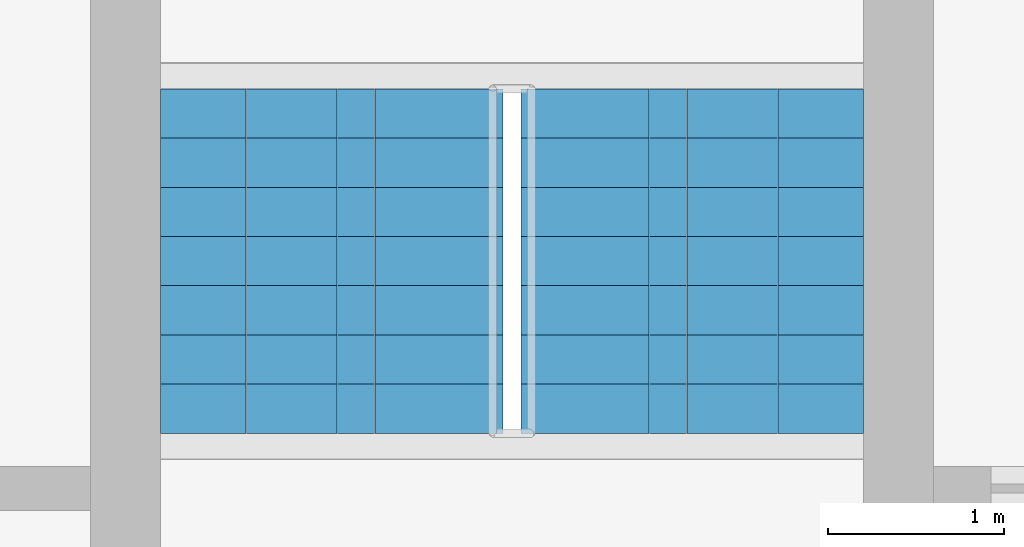
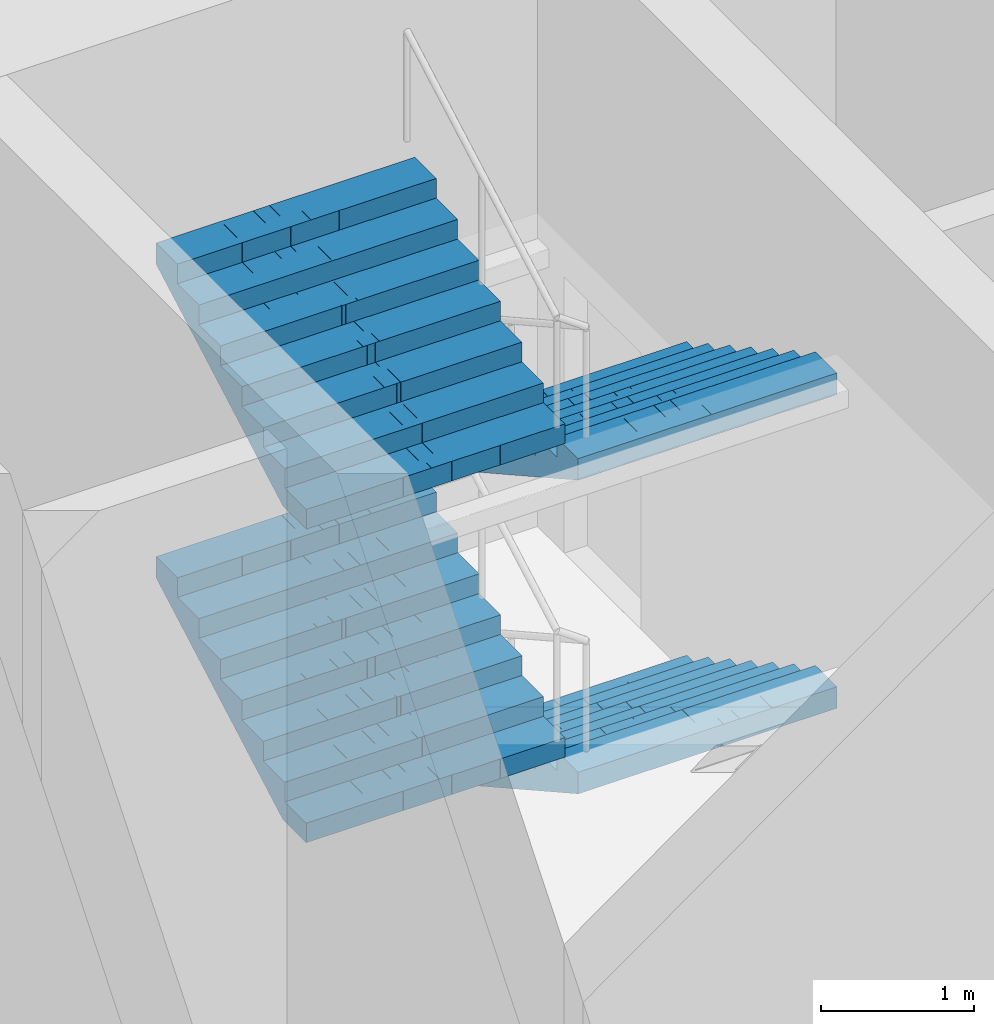
# One storey, part 12 of 20: 4 stair flights, 1 element without a shape of its own.
"""IFC4 building model written with IfcOpenShell, lengths in metres."""

from ifc_helpers import new_model, si_unit, direction, frame, origin, place, context, subcontext, project, spatial, polyline, outline, extrude, material, type_object, element, aggregate, save


model = new_model("IFC4")

# Units and contexts
model_context = context("Model", 3, precision=1e-05, world=origin(), true_north=direction((0.0, 1.0)))
body_context = subcontext(model_context, "Body", "Model", "MODEL_VIEW")
ifc_project = project(units=[si_unit("LENGTHUNIT", "METRE"), si_unit("AREAUNIT", "SQUARE_METRE"), si_unit("VOLUMEUNIT", "CUBIC_METRE"), si_unit("PLANEANGLEUNIT", "RADIAN"), si_unit("MASSUNIT", "GRAM", prefix="KILO")], contexts=[model_context])

# Site, building, storey
site_placement = place(None, origin())
site = spatial("IfcSite", under=ifc_project, at=site_placement, CompositionType="ELEMENT")
building_placement = place(site_placement, origin())
building = spatial("IfcBuilding", under=site, at=building_placement, Name="Mizan Broadcast Tower", CompositionType="ELEMENT")
storey_placement = place(building_placement, frame((0.0, 0.0, -5.0)))
storey = spatial("IfcBuildingStorey", under=building, at=storey_placement, Name="B1", CompositionType="ELEMENT", Elevation=-5.0)

# Stair, stair flights
ifc_material_1 = material(Name="Concrete C40/50", Category="concrete")
stair_type = type_object("IfcStairType", Name="EXIT STAIR", PredefinedType="HALF_TURN_STAIR", material=ifc_material_1)
stair_placement = place(storey_placement, origin())
stair = element("IfcStair", 1, at=stair_placement, inside=storey, type_object=stair_type, Name="Stair B B1", PredefinedType="HALF_TURN_STAIR")
ifc_material_2 = material(Name="Concrete C40/50", Category="concrete")
stair_flight_type = type_object("IfcStairFlightType", Name="EXIT STAIR FLIGHT", PredefinedType="STRAIGHT", material=ifc_material_2)
stair_flight_1_placement = place(storey_placement, frame((1.02490234375, 7.89990234375, 0.0), z_axis=(0.0, 0.0, 1.0), x_axis=(0.0, -1.0, 0.0)))
stair_flight_1 = element("IfcStairFlight", 2, at=stair_flight_1_placement, type_object=stair_flight_type, Name="B flight 1", NumberOfRisers=8, NumberOfTreads=7, PredefinedType="STRAIGHT", RiserHeight=0.15625, TreadLength=0.28, context=body_context, shape_type="SweptSolid", body=[
    extrude(outline(polyline([(0.0, 0.0), (0.0, 0.15625), (0.280029296875, 0.15625), (0.280029296875, 0.3125), (0.56005859375, 0.3125), (0.56005859375, 0.46875), (0.840087890625, 0.46875), (0.840087890625, 0.625), (1.1201171875, 0.625), (1.1201171875, 0.78125), (1.39990234375, 0.78125), (1.39990234375, 0.9375), (1.679931640625, 0.9375), (1.679931640625, 1.09375), (1.9599609375, 1.09375), (1.9599609375, 1.25), (1.9599609375, 0.922119140625), (0.3076171875, 0.0), (0.0, 0.0)])), frame((0.0, 0.97509765625, 0.0), z_axis=(0.0, -1.0, 0.0), x_axis=(1.0, 0.0, 0.0)), (0.0, 0.0, 1.0), 0.4873046875),
    extrude(outline(polyline([(0.0, 0.0), (0.0, 0.15625), (0.280029296875, 0.15625), (0.280029296875, 0.3125), (0.56005859375, 0.3125), (0.56005859375, 0.46875), (0.840087890625, 0.46875), (0.840087890625, 0.625), (1.1201171875, 0.625), (1.1201171875, 0.78125), (1.39990234375, 0.78125), (1.39990234375, 0.9375), (1.679931640625, 0.9375), (1.679931640625, 1.09375), (1.9599609375, 1.09375), (1.9599609375, 1.25), (1.9599609375, 0.922119140625), (0.3076171875, 0.0), (0.0, 0.0)])), frame((0.0, 0.4873046875, 0.0), z_axis=(0.0, -1.0, 0.0), x_axis=(1.0, 0.0, 0.0)), (0.0, 0.0, 1.0), 0.2431640625),
    extrude(outline(polyline([(0.0, 0.0), (0.0, 0.15625), (0.280029296875, 0.15625), (0.280029296875, 0.3125), (0.56005859375, 0.3125), (0.56005859375, 0.46875), (0.840087890625, 0.46875), (0.840087890625, 0.625), (1.1201171875, 0.625), (1.1201171875, 0.78125), (1.39990234375, 0.78125), (1.39990234375, 0.9375), (1.679931640625, 0.9375), (1.679931640625, 1.09375), (1.9599609375, 1.09375), (1.9599609375, 1.25), (1.9599609375, 0.922119140625), (0.3076171875, 0.0), (0.0, 0.0)])), frame((0.0, 0.24365234375, 0.0), z_axis=(0.0, -1.0, 0.0), x_axis=(1.0, 0.0, 0.0)), (0.0, 0.0, 1.0), 0.121337890625),
    extrude(outline(polyline([(0.0, 0.0), (0.0, 0.15625), (0.280029296875, 0.15625), (0.280029296875, 0.3125), (0.56005859375, 0.3125), (0.56005859375, 0.46875), (0.840087890625, 0.46875), (0.840087890625, 0.625), (1.1201171875, 0.625), (1.1201171875, 0.78125), (1.39990234375, 0.78125), (1.39990234375, 0.9375), (1.679931640625, 0.9375), (1.679931640625, 1.09375), (1.9599609375, 1.09375), (1.9599609375, 1.25), (1.9599609375, 0.922119140625), (0.3076171875, 0.0), (0.0, 0.0)])), frame((0.0, 0.121826171875, 0.0), z_axis=(0.0, -1.0, 0.0), x_axis=(1.0, 0.0, 0.0)), (0.0, 0.0, 1.0), 0.060546875),
    extrude(outline(polyline([(0.0, 0.0), (0.0, 0.15625), (0.280029296875, 0.15625), (0.280029296875, 0.3125), (0.56005859375, 0.3125), (0.56005859375, 0.46875), (0.840087890625, 0.46875), (0.840087890625, 0.625), (1.1201171875, 0.625), (1.1201171875, 0.78125), (1.39990234375, 0.78125), (1.39990234375, 0.9375), (1.679931640625, 0.9375), (1.679931640625, 1.09375), (1.9599609375, 1.09375), (1.9599609375, 1.25), (1.9599609375, 0.922119140625), (0.3076171875, 0.0), (0.0, 0.0)])), frame((0.0, 0.060791015625, 0.0), z_axis=(0.0, -1.0, 0.0), x_axis=(1.0, 0.0, 0.0)), (0.0, 0.0, 1.0), 0.030029296875),
    extrude(outline(polyline([(0.0, 0.0), (0.0, 0.15625), (0.280029296875, 0.15625), (0.280029296875, 0.3125), (0.56005859375, 0.3125), (0.56005859375, 0.46875), (0.840087890625, 0.46875), (0.840087890625, 0.625), (1.1201171875, 0.625), (1.1201171875, 0.78125), (1.39990234375, 0.78125), (1.39990234375, 0.9375), (1.679931640625, 0.9375), (1.679931640625, 1.09375), (1.9599609375, 1.09375), (1.9599609375, 1.25), (1.9599609375, 0.922119140625), (0.3076171875, 0.0), (0.0, 0.0)])), frame((0.0, 0.0302734375, 0.0), z_axis=(0.0, -1.0, 0.0), x_axis=(1.0, 0.0, 0.0)), (0.0, 0.0, 1.0), 0.060302734375),
    extrude(outline(polyline([(0.0, 0.0), (0.0, 0.15625), (0.280029296875, 0.15625), (0.280029296875, 0.3125), (0.56005859375, 0.3125), (0.56005859375, 0.46875), (0.840087890625, 0.46875), (0.840087890625, 0.625), (1.1201171875, 0.625), (1.1201171875, 0.78125), (1.39990234375, 0.78125), (1.39990234375, 0.9375), (1.679931640625, 0.9375), (1.679931640625, 1.09375), (1.9599609375, 1.09375), (1.9599609375, 1.25), (1.9599609375, 0.922119140625), (0.3076171875, 0.0), (0.0, 0.0)])), frame((0.0, -0.030517578125, 0.0), z_axis=(0.0, -1.0, 0.0), x_axis=(1.0, 0.0, 0.0)), (0.0, 0.0, 1.0), 0.030029296875),
    extrude(outline(polyline([(0.0, 0.0), (0.0, 0.15625), (0.280029296875, 0.15625), (0.280029296875, 0.3125), (0.56005859375, 0.3125), (0.56005859375, 0.46875), (0.840087890625, 0.46875), (0.840087890625, 0.625), (1.1201171875, 0.625), (1.1201171875, 0.78125), (1.39990234375, 0.78125), (1.39990234375, 0.9375), (1.679931640625, 0.9375), (1.679931640625, 1.09375), (1.9599609375, 1.09375), (1.9599609375, 1.25), (1.9599609375, 0.922119140625), (0.3076171875, 0.0), (0.0, 0.0)])), frame((0.0, -0.06103515625, 0.0), z_axis=(0.0, -1.0, 0.0), x_axis=(1.0, 0.0, 0.0)), (0.0, 0.0, 1.0), 0.060546875),
    extrude(outline(polyline([(0.0, 0.0), (0.0, 0.15625), (0.280029296875, 0.15625), (0.280029296875, 0.3125), (0.56005859375, 0.3125), (0.56005859375, 0.46875), (0.840087890625, 0.46875), (0.840087890625, 0.625), (1.1201171875, 0.625), (1.1201171875, 0.78125), (1.39990234375, 0.78125), (1.39990234375, 0.9375), (1.679931640625, 0.9375), (1.679931640625, 1.09375), (1.9599609375, 1.09375), (1.9599609375, 1.25), (1.9599609375, 0.922119140625), (0.3076171875, 0.0), (0.0, 0.0)])), frame((0.0, -0.1220703125, 0.0), z_axis=(0.0, -1.0, 0.0), x_axis=(1.0, 0.0, 0.0)), (0.0, 0.0, 1.0), 0.121337890625),
    extrude(outline(polyline([(0.0, 0.0), (0.0, 0.15625), (0.280029296875, 0.15625), (0.280029296875, 0.3125), (0.56005859375, 0.3125), (0.56005859375, 0.46875), (0.840087890625, 0.46875), (0.840087890625, 0.625), (1.1201171875, 0.625), (1.1201171875, 0.78125), (1.39990234375, 0.78125), (1.39990234375, 0.9375), (1.679931640625, 0.9375), (1.679931640625, 1.09375), (1.9599609375, 1.09375), (1.9599609375, 1.25), (1.9599609375, 0.922119140625), (0.3076171875, 0.0), (0.0, 0.0)])), frame((0.0, -0.243896484375, 0.0), z_axis=(0.0, -1.0, 0.0), x_axis=(1.0, 0.0, 0.0)), (0.0, 0.0, 1.0), 0.2431640625),
    extrude(outline(polyline([(0.0, 0.0), (0.0, 0.15625), (0.280029296875, 0.15625), (0.280029296875, 0.3125), (0.56005859375, 0.3125), (0.56005859375, 0.46875), (0.840087890625, 0.46875), (0.840087890625, 0.625), (1.1201171875, 0.625), (1.1201171875, 0.78125), (1.39990234375, 0.78125), (1.39990234375, 0.9375), (1.679931640625, 0.9375), (1.679931640625, 1.09375), (1.9599609375, 1.09375), (1.9599609375, 1.25), (1.9599609375, 0.922119140625), (0.3076171875, 0.0), (0.0, 0.0)])), frame((0.0, -0.487548828125, 0.0), z_axis=(0.0, -1.0, 0.0), x_axis=(1.0, 0.0, 0.0)), (0.0, 0.0, 1.0), 0.4873046875),
])
stair_flight_2_placement = place(storey_placement, frame((-1.02490234375, 5.93994140625, 1.25), z_axis=(0.0, 0.0, 1.0), x_axis=(0.0, 1.0, 0.0)))
stair_flight_2 = element("IfcStairFlight", 3, at=stair_flight_2_placement, type_object=stair_flight_type, Name="B flight 2", NumberOfRisers=8, NumberOfTreads=7, PredefinedType="STRAIGHT", RiserHeight=0.15625, TreadLength=0.28, context=body_context, shape_type="SweptSolid", body=[
    extrude(outline(polyline([(0.0, 0.0), (0.0, 0.15625), (0.280029296875, 0.15625), (0.280029296875, 0.3125), (0.56005859375, 0.3125), (0.56005859375, 0.46875), (0.840087890625, 0.46875), (0.840087890625, 0.625), (1.1201171875, 0.625), (1.1201171875, 0.78125), (1.39990234375, 0.78125), (1.39990234375, 0.9375), (1.679931640625, 0.9375), (1.679931640625, 1.09375), (1.9599609375, 1.09375), (1.9599609375, 1.25), (1.9599609375, 0.922119140625), (0.3076171875, 0.0), (0.0, 0.0)])), frame((0.0, 0.97509765625, 0.0), z_axis=(0.0, -1.0, 0.0), x_axis=(1.0, 0.0, 0.0)), (0.0, 0.0, 1.0), 0.4873046875),
    extrude(outline(polyline([(0.0, 0.0), (0.0, 0.15625), (0.280029296875, 0.15625), (0.280029296875, 0.3125), (0.56005859375, 0.3125), (0.56005859375, 0.46875), (0.840087890625, 0.46875), (0.840087890625, 0.625), (1.1201171875, 0.625), (1.1201171875, 0.78125), (1.39990234375, 0.78125), (1.39990234375, 0.9375), (1.679931640625, 0.9375), (1.679931640625, 1.09375), (1.9599609375, 1.09375), (1.9599609375, 1.25), (1.9599609375, 0.922119140625), (0.3076171875, 0.0), (0.0, 0.0)])), frame((0.0, 0.4873046875, 0.0), z_axis=(0.0, -1.0, 0.0), x_axis=(1.0, 0.0, 0.0)), (0.0, 0.0, 1.0), 0.2431640625),
    extrude(outline(polyline([(0.0, 0.0), (0.0, 0.15625), (0.280029296875, 0.15625), (0.280029296875, 0.3125), (0.56005859375, 0.3125), (0.56005859375, 0.46875), (0.840087890625, 0.46875), (0.840087890625, 0.625), (1.1201171875, 0.625), (1.1201171875, 0.78125), (1.39990234375, 0.78125), (1.39990234375, 0.9375), (1.679931640625, 0.9375), (1.679931640625, 1.09375), (1.9599609375, 1.09375), (1.9599609375, 1.25), (1.9599609375, 0.922119140625), (0.3076171875, 0.0), (0.0, 0.0)])), frame((0.0, 0.24365234375, 0.0), z_axis=(0.0, -1.0, 0.0), x_axis=(1.0, 0.0, 0.0)), (0.0, 0.0, 1.0), 0.121337890625),
    extrude(outline(polyline([(0.0, 0.0), (0.0, 0.15625), (0.280029296875, 0.15625), (0.280029296875, 0.3125), (0.56005859375, 0.3125), (0.56005859375, 0.46875), (0.840087890625, 0.46875), (0.840087890625, 0.625), (1.1201171875, 0.625), (1.1201171875, 0.78125), (1.39990234375, 0.78125), (1.39990234375, 0.9375), (1.679931640625, 0.9375), (1.679931640625, 1.09375), (1.9599609375, 1.09375), (1.9599609375, 1.25), (1.9599609375, 0.922119140625), (0.3076171875, 0.0), (0.0, 0.0)])), frame((0.0, 0.121826171875, 0.0), z_axis=(0.0, -1.0, 0.0), x_axis=(1.0, 0.0, 0.0)), (0.0, 0.0, 1.0), 0.060546875),
    extrude(outline(polyline([(0.0, 0.0), (0.0, 0.15625), (0.280029296875, 0.15625), (0.280029296875, 0.3125), (0.56005859375, 0.3125), (0.56005859375, 0.46875), (0.840087890625, 0.46875), (0.840087890625, 0.625), (1.1201171875, 0.625), (1.1201171875, 0.78125), (1.39990234375, 0.78125), (1.39990234375, 0.9375), (1.679931640625, 0.9375), (1.679931640625, 1.09375), (1.9599609375, 1.09375), (1.9599609375, 1.25), (1.9599609375, 0.922119140625), (0.3076171875, 0.0), (0.0, 0.0)])), frame((0.0, 0.060791015625, 0.0), z_axis=(0.0, -1.0, 0.0), x_axis=(1.0, 0.0, 0.0)), (0.0, 0.0, 1.0), 0.030029296875),
    extrude(outline(polyline([(0.0, 0.0), (0.0, 0.15625), (0.280029296875, 0.15625), (0.280029296875, 0.3125), (0.56005859375, 0.3125), (0.56005859375, 0.46875), (0.840087890625, 0.46875), (0.840087890625, 0.625), (1.1201171875, 0.625), (1.1201171875, 0.78125), (1.39990234375, 0.78125), (1.39990234375, 0.9375), (1.679931640625, 0.9375), (1.679931640625, 1.09375), (1.9599609375, 1.09375), (1.9599609375, 1.25), (1.9599609375, 0.922119140625), (0.3076171875, 0.0), (0.0, 0.0)])), frame((0.0, 0.0302734375, 0.0), z_axis=(0.0, -1.0, 0.0), x_axis=(1.0, 0.0, 0.0)), (0.0, 0.0, 1.0), 0.060302734375),
    extrude(outline(polyline([(0.0, 0.0), (0.0, 0.15625), (0.280029296875, 0.15625), (0.280029296875, 0.3125), (0.56005859375, 0.3125), (0.56005859375, 0.46875), (0.840087890625, 0.46875), (0.840087890625, 0.625), (1.1201171875, 0.625), (1.1201171875, 0.78125), (1.39990234375, 0.78125), (1.39990234375, 0.9375), (1.679931640625, 0.9375), (1.679931640625, 1.09375), (1.9599609375, 1.09375), (1.9599609375, 1.25), (1.9599609375, 0.922119140625), (0.3076171875, 0.0), (0.0, 0.0)])), frame((0.0, -0.030517578125, 0.0), z_axis=(0.0, -1.0, 0.0), x_axis=(1.0, 0.0, 0.0)), (0.0, 0.0, 1.0), 0.030029296875),
    extrude(outline(polyline([(0.0, 0.0), (0.0, 0.15625), (0.280029296875, 0.15625), (0.280029296875, 0.3125), (0.56005859375, 0.3125), (0.56005859375, 0.46875), (0.840087890625, 0.46875), (0.840087890625, 0.625), (1.1201171875, 0.625), (1.1201171875, 0.78125), (1.39990234375, 0.78125), (1.39990234375, 0.9375), (1.679931640625, 0.9375), (1.679931640625, 1.09375), (1.9599609375, 1.09375), (1.9599609375, 1.25), (1.9599609375, 0.922119140625), (0.3076171875, 0.0), (0.0, 0.0)])), frame((0.0, -0.06103515625, 0.0), z_axis=(0.0, -1.0, 0.0), x_axis=(1.0, 0.0, 0.0)), (0.0, 0.0, 1.0), 0.060546875),
    extrude(outline(polyline([(0.0, 0.0), (0.0, 0.15625), (0.280029296875, 0.15625), (0.280029296875, 0.3125), (0.56005859375, 0.3125), (0.56005859375, 0.46875), (0.840087890625, 0.46875), (0.840087890625, 0.625), (1.1201171875, 0.625), (1.1201171875, 0.78125), (1.39990234375, 0.78125), (1.39990234375, 0.9375), (1.679931640625, 0.9375), (1.679931640625, 1.09375), (1.9599609375, 1.09375), (1.9599609375, 1.25), (1.9599609375, 0.922119140625), (0.3076171875, 0.0), (0.0, 0.0)])), frame((0.0, -0.1220703125, 0.0), z_axis=(0.0, -1.0, 0.0), x_axis=(1.0, 0.0, 0.0)), (0.0, 0.0, 1.0), 0.121337890625),
    extrude(outline(polyline([(0.0, 0.0), (0.0, 0.15625), (0.280029296875, 0.15625), (0.280029296875, 0.3125), (0.56005859375, 0.3125), (0.56005859375, 0.46875), (0.840087890625, 0.46875), (0.840087890625, 0.625), (1.1201171875, 0.625), (1.1201171875, 0.78125), (1.39990234375, 0.78125), (1.39990234375, 0.9375), (1.679931640625, 0.9375), (1.679931640625, 1.09375), (1.9599609375, 1.09375), (1.9599609375, 1.25), (1.9599609375, 0.922119140625), (0.3076171875, 0.0), (0.0, 0.0)])), frame((0.0, -0.243896484375, 0.0), z_axis=(0.0, -1.0, 0.0), x_axis=(1.0, 0.0, 0.0)), (0.0, 0.0, 1.0), 0.2431640625),
    extrude(outline(polyline([(0.0, 0.0), (0.0, 0.15625), (0.280029296875, 0.15625), (0.280029296875, 0.3125), (0.56005859375, 0.3125), (0.56005859375, 0.46875), (0.840087890625, 0.46875), (0.840087890625, 0.625), (1.1201171875, 0.625), (1.1201171875, 0.78125), (1.39990234375, 0.78125), (1.39990234375, 0.9375), (1.679931640625, 0.9375), (1.679931640625, 1.09375), (1.9599609375, 1.09375), (1.9599609375, 1.25), (1.9599609375, 0.922119140625), (0.3076171875, 0.0), (0.0, 0.0)])), frame((0.0, -0.487548828125, 0.0), z_axis=(0.0, -1.0, 0.0), x_axis=(1.0, 0.0, 0.0)), (0.0, 0.0, 1.0), 0.4873046875),
])
stair_flight_3_placement = place(storey_placement, frame((1.02490234375, 7.89990234375, 2.5), z_axis=(0.0, 0.0, 1.0), x_axis=(0.0, -1.0, 0.0)))
stair_flight_3 = element("IfcStairFlight", 4, at=stair_flight_3_placement, type_object=stair_flight_type, Name="B flight 3", NumberOfRisers=8, NumberOfTreads=7, PredefinedType="STRAIGHT", RiserHeight=0.15625, TreadLength=0.28, context=body_context, shape_type="SweptSolid", body=[
    extrude(outline(polyline([(0.0, 0.0), (0.0, 0.15625), (0.280029296875, 0.15625), (0.280029296875, 0.3125), (0.56005859375, 0.3125), (0.56005859375, 0.46875), (0.840087890625, 0.46875), (0.840087890625, 0.625), (1.1201171875, 0.625), (1.1201171875, 0.78125), (1.39990234375, 0.78125), (1.39990234375, 0.9375), (1.679931640625, 0.9375), (1.679931640625, 1.09375), (1.9599609375, 1.09375), (1.9599609375, 1.25), (1.9599609375, 0.922119140625), (0.3076171875, 0.0), (0.0, 0.0)])), frame((0.0, 0.97509765625, 0.0), z_axis=(0.0, -1.0, 0.0), x_axis=(1.0, 0.0, 0.0)), (0.0, 0.0, 1.0), 0.4873046875),
    extrude(outline(polyline([(0.0, 0.0), (0.0, 0.15625), (0.280029296875, 0.15625), (0.280029296875, 0.3125), (0.56005859375, 0.3125), (0.56005859375, 0.46875), (0.840087890625, 0.46875), (0.840087890625, 0.625), (1.1201171875, 0.625), (1.1201171875, 0.78125), (1.39990234375, 0.78125), (1.39990234375, 0.9375), (1.679931640625, 0.9375), (1.679931640625, 1.09375), (1.9599609375, 1.09375), (1.9599609375, 1.25), (1.9599609375, 0.922119140625), (0.3076171875, 0.0), (0.0, 0.0)])), frame((0.0, 0.4873046875, 0.0), z_axis=(0.0, -1.0, 0.0), x_axis=(1.0, 0.0, 0.0)), (0.0, 0.0, 1.0), 0.2431640625),
    extrude(outline(polyline([(0.0, 0.0), (0.0, 0.15625), (0.280029296875, 0.15625), (0.280029296875, 0.3125), (0.56005859375, 0.3125), (0.56005859375, 0.46875), (0.840087890625, 0.46875), (0.840087890625, 0.625), (1.1201171875, 0.625), (1.1201171875, 0.78125), (1.39990234375, 0.78125), (1.39990234375, 0.9375), (1.679931640625, 0.9375), (1.679931640625, 1.09375), (1.9599609375, 1.09375), (1.9599609375, 1.25), (1.9599609375, 0.922119140625), (0.3076171875, 0.0), (0.0, 0.0)])), frame((0.0, 0.24365234375, 0.0), z_axis=(0.0, -1.0, 0.0), x_axis=(1.0, 0.0, 0.0)), (0.0, 0.0, 1.0), 0.121337890625),
    extrude(outline(polyline([(0.0, 0.0), (0.0, 0.15625), (0.280029296875, 0.15625), (0.280029296875, 0.3125), (0.56005859375, 0.3125), (0.56005859375, 0.46875), (0.840087890625, 0.46875), (0.840087890625, 0.625), (1.1201171875, 0.625), (1.1201171875, 0.78125), (1.39990234375, 0.78125), (1.39990234375, 0.9375), (1.679931640625, 0.9375), (1.679931640625, 1.09375), (1.9599609375, 1.09375), (1.9599609375, 1.25), (1.9599609375, 0.922119140625), (0.3076171875, 0.0), (0.0, 0.0)])), frame((0.0, 0.121826171875, 0.0), z_axis=(0.0, -1.0, 0.0), x_axis=(1.0, 0.0, 0.0)), (0.0, 0.0, 1.0), 0.060546875),
    extrude(outline(polyline([(0.0, 0.0), (0.0, 0.15625), (0.280029296875, 0.15625), (0.280029296875, 0.3125), (0.56005859375, 0.3125), (0.56005859375, 0.46875), (0.840087890625, 0.46875), (0.840087890625, 0.625), (1.1201171875, 0.625), (1.1201171875, 0.78125), (1.39990234375, 0.78125), (1.39990234375, 0.9375), (1.679931640625, 0.9375), (1.679931640625, 1.09375), (1.9599609375, 1.09375), (1.9599609375, 1.25), (1.9599609375, 0.922119140625), (0.3076171875, 0.0), (0.0, 0.0)])), frame((0.0, 0.060791015625, 0.0), z_axis=(0.0, -1.0, 0.0), x_axis=(1.0, 0.0, 0.0)), (0.0, 0.0, 1.0), 0.030029296875),
    extrude(outline(polyline([(0.0, 0.0), (0.0, 0.15625), (0.280029296875, 0.15625), (0.280029296875, 0.3125), (0.56005859375, 0.3125), (0.56005859375, 0.46875), (0.840087890625, 0.46875), (0.840087890625, 0.625), (1.1201171875, 0.625), (1.1201171875, 0.78125), (1.39990234375, 0.78125), (1.39990234375, 0.9375), (1.679931640625, 0.9375), (1.679931640625, 1.09375), (1.9599609375, 1.09375), (1.9599609375, 1.25), (1.9599609375, 0.922119140625), (0.3076171875, 0.0), (0.0, 0.0)])), frame((0.0, 0.0302734375, 0.0), z_axis=(0.0, -1.0, 0.0), x_axis=(1.0, 0.0, 0.0)), (0.0, 0.0, 1.0), 0.060302734375),
    extrude(outline(polyline([(0.0, 0.0), (0.0, 0.15625), (0.280029296875, 0.15625), (0.280029296875, 0.3125), (0.56005859375, 0.3125), (0.56005859375, 0.46875), (0.840087890625, 0.46875), (0.840087890625, 0.625), (1.1201171875, 0.625), (1.1201171875, 0.78125), (1.39990234375, 0.78125), (1.39990234375, 0.9375), (1.679931640625, 0.9375), (1.679931640625, 1.09375), (1.9599609375, 1.09375), (1.9599609375, 1.25), (1.9599609375, 0.922119140625), (0.3076171875, 0.0), (0.0, 0.0)])), frame((0.0, -0.030517578125, 0.0), z_axis=(0.0, -1.0, 0.0), x_axis=(1.0, 0.0, 0.0)), (0.0, 0.0, 1.0), 0.030029296875),
    extrude(outline(polyline([(0.0, 0.0), (0.0, 0.15625), (0.280029296875, 0.15625), (0.280029296875, 0.3125), (0.56005859375, 0.3125), (0.56005859375, 0.46875), (0.840087890625, 0.46875), (0.840087890625, 0.625), (1.1201171875, 0.625), (1.1201171875, 0.78125), (1.39990234375, 0.78125), (1.39990234375, 0.9375), (1.679931640625, 0.9375), (1.679931640625, 1.09375), (1.9599609375, 1.09375), (1.9599609375, 1.25), (1.9599609375, 0.922119140625), (0.3076171875, 0.0), (0.0, 0.0)])), frame((0.0, -0.06103515625, 0.0), z_axis=(0.0, -1.0, 0.0), x_axis=(1.0, 0.0, 0.0)), (0.0, 0.0, 1.0), 0.060546875),
    extrude(outline(polyline([(0.0, 0.0), (0.0, 0.15625), (0.280029296875, 0.15625), (0.280029296875, 0.3125), (0.56005859375, 0.3125), (0.56005859375, 0.46875), (0.840087890625, 0.46875), (0.840087890625, 0.625), (1.1201171875, 0.625), (1.1201171875, 0.78125), (1.39990234375, 0.78125), (1.39990234375, 0.9375), (1.679931640625, 0.9375), (1.679931640625, 1.09375), (1.9599609375, 1.09375), (1.9599609375, 1.25), (1.9599609375, 0.922119140625), (0.3076171875, 0.0), (0.0, 0.0)])), frame((0.0, -0.1220703125, 0.0), z_axis=(0.0, -1.0, 0.0), x_axis=(1.0, 0.0, 0.0)), (0.0, 0.0, 1.0), 0.121337890625),
    extrude(outline(polyline([(0.0, 0.0), (0.0, 0.15625), (0.280029296875, 0.15625), (0.280029296875, 0.3125), (0.56005859375, 0.3125), (0.56005859375, 0.46875), (0.840087890625, 0.46875), (0.840087890625, 0.625), (1.1201171875, 0.625), (1.1201171875, 0.78125), (1.39990234375, 0.78125), (1.39990234375, 0.9375), (1.679931640625, 0.9375), (1.679931640625, 1.09375), (1.9599609375, 1.09375), (1.9599609375, 1.25), (1.9599609375, 0.922119140625), (0.3076171875, 0.0), (0.0, 0.0)])), frame((0.0, -0.243896484375, 0.0), z_axis=(0.0, -1.0, 0.0), x_axis=(1.0, 0.0, 0.0)), (0.0, 0.0, 1.0), 0.2431640625),
    extrude(outline(polyline([(0.0, 0.0), (0.0, 0.15625), (0.280029296875, 0.15625), (0.280029296875, 0.3125), (0.56005859375, 0.3125), (0.56005859375, 0.46875), (0.840087890625, 0.46875), (0.840087890625, 0.625), (1.1201171875, 0.625), (1.1201171875, 0.78125), (1.39990234375, 0.78125), (1.39990234375, 0.9375), (1.679931640625, 0.9375), (1.679931640625, 1.09375), (1.9599609375, 1.09375), (1.9599609375, 1.25), (1.9599609375, 0.922119140625), (0.3076171875, 0.0), (0.0, 0.0)])), frame((0.0, -0.487548828125, 0.0), z_axis=(0.0, -1.0, 0.0), x_axis=(1.0, 0.0, 0.0)), (0.0, 0.0, 1.0), 0.4873046875),
])
stair_flight_4_placement = place(storey_placement, frame((-1.02490234375, 5.93994140625, 3.75), z_axis=(0.0, 0.0, 1.0), x_axis=(0.0, 1.0, 0.0)))
stair_flight_4 = element("IfcStairFlight", 5, at=stair_flight_4_placement, type_object=stair_flight_type, Name="B flight 4", NumberOfRisers=8, NumberOfTreads=7, PredefinedType="STRAIGHT", RiserHeight=0.15625, TreadLength=0.28, context=body_context, shape_type="SweptSolid", body=[
    extrude(outline(polyline([(0.0, 0.0), (0.0, 0.15625), (0.280029296875, 0.15625), (0.280029296875, 0.3125), (0.56005859375, 0.3125), (0.56005859375, 0.46875), (0.840087890625, 0.46875), (0.840087890625, 0.625), (1.1201171875, 0.625), (1.1201171875, 0.78125), (1.39990234375, 0.78125), (1.39990234375, 0.9375), (1.679931640625, 0.9375), (1.679931640625, 1.09375), (1.9599609375, 1.09375), (1.9599609375, 1.25), (1.9599609375, 0.922119140625), (0.3076171875, 0.0), (0.0, 0.0)])), frame((0.0, 0.97509765625, 0.0), z_axis=(0.0, -1.0, 0.0), x_axis=(1.0, 0.0, 0.0)), (0.0, 0.0, 1.0), 0.4873046875),
    extrude(outline(polyline([(0.0, 0.0), (0.0, 0.15625), (0.280029296875, 0.15625), (0.280029296875, 0.3125), (0.56005859375, 0.3125), (0.56005859375, 0.46875), (0.840087890625, 0.46875), (0.840087890625, 0.625), (1.1201171875, 0.625), (1.1201171875, 0.78125), (1.39990234375, 0.78125), (1.39990234375, 0.9375), (1.679931640625, 0.9375), (1.679931640625, 1.09375), (1.9599609375, 1.09375), (1.9599609375, 1.25), (1.9599609375, 0.922119140625), (0.3076171875, 0.0), (0.0, 0.0)])), frame((0.0, 0.4873046875, 0.0), z_axis=(0.0, -1.0, 0.0), x_axis=(1.0, 0.0, 0.0)), (0.0, 0.0, 1.0), 0.2431640625),
    extrude(outline(polyline([(0.0, 0.0), (0.0, 0.15625), (0.280029296875, 0.15625), (0.280029296875, 0.3125), (0.56005859375, 0.3125), (0.56005859375, 0.46875), (0.840087890625, 0.46875), (0.840087890625, 0.625), (1.1201171875, 0.625), (1.1201171875, 0.78125), (1.39990234375, 0.78125), (1.39990234375, 0.9375), (1.679931640625, 0.9375), (1.679931640625, 1.09375), (1.9599609375, 1.09375), (1.9599609375, 1.25), (1.9599609375, 0.922119140625), (0.3076171875, 0.0), (0.0, 0.0)])), frame((0.0, 0.24365234375, 0.0), z_axis=(0.0, -1.0, 0.0), x_axis=(1.0, 0.0, 0.0)), (0.0, 0.0, 1.0), 0.121337890625),
    extrude(outline(polyline([(0.0, 0.0), (0.0, 0.15625), (0.280029296875, 0.15625), (0.280029296875, 0.3125), (0.56005859375, 0.3125), (0.56005859375, 0.46875), (0.840087890625, 0.46875), (0.840087890625, 0.625), (1.1201171875, 0.625), (1.1201171875, 0.78125), (1.39990234375, 0.78125), (1.39990234375, 0.9375), (1.679931640625, 0.9375), (1.679931640625, 1.09375), (1.9599609375, 1.09375), (1.9599609375, 1.25), (1.9599609375, 0.922119140625), (0.3076171875, 0.0), (0.0, 0.0)])), frame((0.0, 0.121826171875, 0.0), z_axis=(0.0, -1.0, 0.0), x_axis=(1.0, 0.0, 0.0)), (0.0, 0.0, 1.0), 0.060546875),
    extrude(outline(polyline([(0.0, 0.0), (0.0, 0.15625), (0.280029296875, 0.15625), (0.280029296875, 0.3125), (0.56005859375, 0.3125), (0.56005859375, 0.46875), (0.840087890625, 0.46875), (0.840087890625, 0.625), (1.1201171875, 0.625), (1.1201171875, 0.78125), (1.39990234375, 0.78125), (1.39990234375, 0.9375), (1.679931640625, 0.9375), (1.679931640625, 1.09375), (1.9599609375, 1.09375), (1.9599609375, 1.25), (1.9599609375, 0.922119140625), (0.3076171875, 0.0), (0.0, 0.0)])), frame((0.0, 0.060791015625, 0.0), z_axis=(0.0, -1.0, 0.0), x_axis=(1.0, 0.0, 0.0)), (0.0, 0.0, 1.0), 0.030029296875),
    extrude(outline(polyline([(0.0, 0.0), (0.0, 0.15625), (0.280029296875, 0.15625), (0.280029296875, 0.3125), (0.56005859375, 0.3125), (0.56005859375, 0.46875), (0.840087890625, 0.46875), (0.840087890625, 0.625), (1.1201171875, 0.625), (1.1201171875, 0.78125), (1.39990234375, 0.78125), (1.39990234375, 0.9375), (1.679931640625, 0.9375), (1.679931640625, 1.09375), (1.9599609375, 1.09375), (1.9599609375, 1.25), (1.9599609375, 0.922119140625), (0.3076171875, 0.0), (0.0, 0.0)])), frame((0.0, 0.0302734375, 0.0), z_axis=(0.0, -1.0, 0.0), x_axis=(1.0, 0.0, 0.0)), (0.0, 0.0, 1.0), 0.060302734375),
    extrude(outline(polyline([(0.0, 0.0), (0.0, 0.15625), (0.280029296875, 0.15625), (0.280029296875, 0.3125), (0.56005859375, 0.3125), (0.56005859375, 0.46875), (0.840087890625, 0.46875), (0.840087890625, 0.625), (1.1201171875, 0.625), (1.1201171875, 0.78125), (1.39990234375, 0.78125), (1.39990234375, 0.9375), (1.679931640625, 0.9375), (1.679931640625, 1.09375), (1.9599609375, 1.09375), (1.9599609375, 1.25), (1.9599609375, 0.922119140625), (0.3076171875, 0.0), (0.0, 0.0)])), frame((0.0, -0.030517578125, 0.0), z_axis=(0.0, -1.0, 0.0), x_axis=(1.0, 0.0, 0.0)), (0.0, 0.0, 1.0), 0.030029296875),
    extrude(outline(polyline([(0.0, 0.0), (0.0, 0.15625), (0.280029296875, 0.15625), (0.280029296875, 0.3125), (0.56005859375, 0.3125), (0.56005859375, 0.46875), (0.840087890625, 0.46875), (0.840087890625, 0.625), (1.1201171875, 0.625), (1.1201171875, 0.78125), (1.39990234375, 0.78125), (1.39990234375, 0.9375), (1.679931640625, 0.9375), (1.679931640625, 1.09375), (1.9599609375, 1.09375), (1.9599609375, 1.25), (1.9599609375, 0.922119140625), (0.3076171875, 0.0), (0.0, 0.0)])), frame((0.0, -0.06103515625, 0.0), z_axis=(0.0, -1.0, 0.0), x_axis=(1.0, 0.0, 0.0)), (0.0, 0.0, 1.0), 0.060546875),
    extrude(outline(polyline([(0.0, 0.0), (0.0, 0.15625), (0.280029296875, 0.15625), (0.280029296875, 0.3125), (0.56005859375, 0.3125), (0.56005859375, 0.46875), (0.840087890625, 0.46875), (0.840087890625, 0.625), (1.1201171875, 0.625), (1.1201171875, 0.78125), (1.39990234375, 0.78125), (1.39990234375, 0.9375), (1.679931640625, 0.9375), (1.679931640625, 1.09375), (1.9599609375, 1.09375), (1.9599609375, 1.25), (1.9599609375, 0.922119140625), (0.3076171875, 0.0), (0.0, 0.0)])), frame((0.0, -0.1220703125, 0.0), z_axis=(0.0, -1.0, 0.0), x_axis=(1.0, 0.0, 0.0)), (0.0, 0.0, 1.0), 0.121337890625),
    extrude(outline(polyline([(0.0, 0.0), (0.0, 0.15625), (0.280029296875, 0.15625), (0.280029296875, 0.3125), (0.56005859375, 0.3125), (0.56005859375, 0.46875), (0.840087890625, 0.46875), (0.840087890625, 0.625), (1.1201171875, 0.625), (1.1201171875, 0.78125), (1.39990234375, 0.78125), (1.39990234375, 0.9375), (1.679931640625, 0.9375), (1.679931640625, 1.09375), (1.9599609375, 1.09375), (1.9599609375, 1.25), (1.9599609375, 0.922119140625), (0.3076171875, 0.0), (0.0, 0.0)])), frame((0.0, -0.243896484375, 0.0), z_axis=(0.0, -1.0, 0.0), x_axis=(1.0, 0.0, 0.0)), (0.0, 0.0, 1.0), 0.2431640625),
    extrude(outline(polyline([(0.0, 0.0), (0.0, 0.15625), (0.280029296875, 0.15625), (0.280029296875, 0.3125), (0.56005859375, 0.3125), (0.56005859375, 0.46875), (0.840087890625, 0.46875), (0.840087890625, 0.625), (1.1201171875, 0.625), (1.1201171875, 0.78125), (1.39990234375, 0.78125), (1.39990234375, 0.9375), (1.679931640625, 0.9375), (1.679931640625, 1.09375), (1.9599609375, 1.09375), (1.9599609375, 1.25), (1.9599609375, 0.922119140625), (0.3076171875, 0.0), (0.0, 0.0)])), frame((0.0, -0.487548828125, 0.0), z_axis=(0.0, -1.0, 0.0), x_axis=(1.0, 0.0, 0.0)), (0.0, 0.0, 1.0), 0.4873046875),
])
aggregate(stair, [stair_flight_1, stair_flight_2, stair_flight_3, stair_flight_4])

save(model, "model.ifc")
